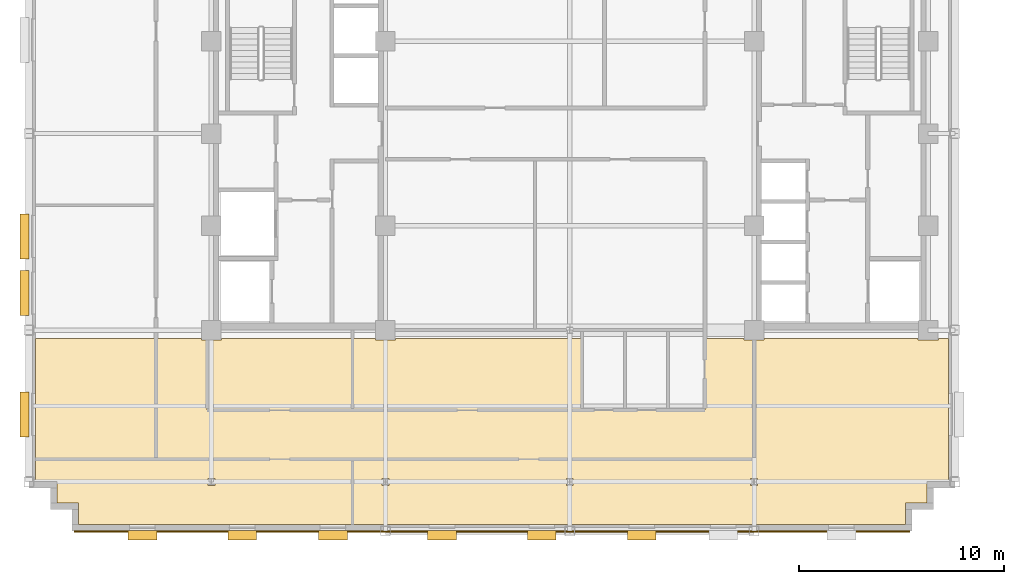
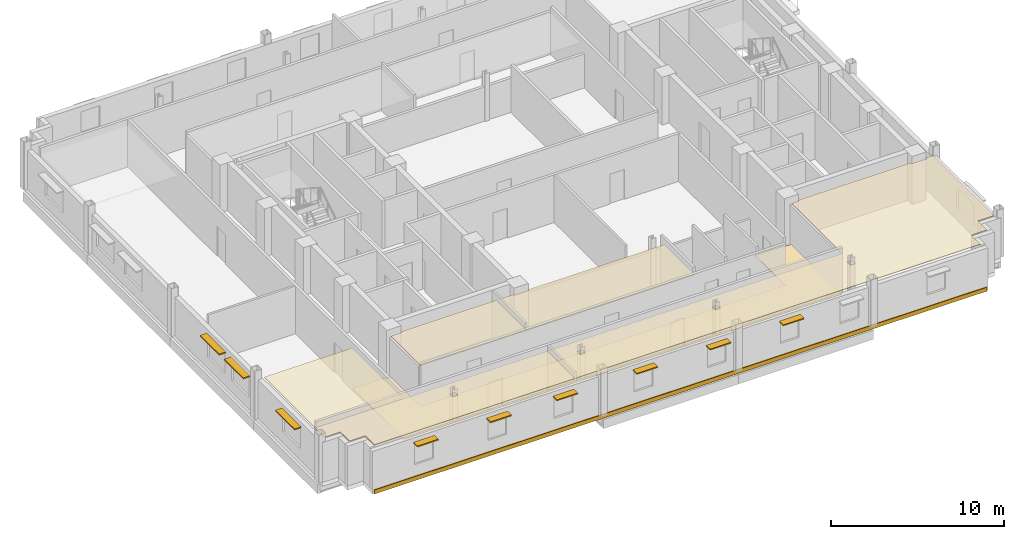
# One storey, part 10 of 13: 9 shading devices, 7 coverings.
"""IFC4 building model written with IfcOpenShell, lengths in metres."""

from ifc_helpers import new_model, si_unit, direction, frame, origin, origin_2d, place, context, subcontext, project, spatial, polyline, rectangle, outline, extrude, source, transform, mapped, material, layer, layer_set, type_object, type_shapes, element, save


model = new_model("IFC4")

# Units and contexts
model_context = context("Model", 3, precision=1e-05, world=origin(), true_north=direction((0.0, 1.0)))
body_context = subcontext(model_context, "Body", "Model", "MODEL_VIEW")
ifc_project = project(units=[si_unit("LENGTHUNIT", "METRE"), si_unit("AREAUNIT", "SQUARE_METRE"), si_unit("VOLUMEUNIT", "CUBIC_METRE"), si_unit("PLANEANGLEUNIT", "RADIAN"), si_unit("MASSUNIT", "GRAM", prefix="KILO")], contexts=[model_context])

# Site, building, storey
site_placement = place(None, origin())
site = spatial("IfcSite", under=ifc_project, at=site_placement, CompositionType="ELEMENT")
building_placement = place(site_placement, origin())
building = spatial("IfcBuilding", under=site, at=building_placement, Name="Nuvemarco Arch Tower", CompositionType="ELEMENT")
storey_placement = place(building_placement, frame((0.0, 0.0, 216.449951171875)))
storey = spatial("IfcBuildingStorey", under=building, at=storey_placement, Name="L57", CompositionType="ELEMENT", Elevation=216.449951171875)

# Coverings
ifc_material_1 = material(Name="Mineral acoustic ceiling tile")
ifc_layer_1 = layer(ifc_material_1, 0.0400390625, Name="COV-ACOUSTIC-CLG")
ifc_layer_set_1 = layer_set([ifc_layer_1], Name="Mineral acoustic ceiling tile")
covering_type_1 = type_object("IfcCoveringType", Name="COV-ACOUSTIC-CLG", PredefinedType="CEILING", material=ifc_layer_set_1)
covering_1_placement = place(storey_placement, frame((0.0, 0.0, 2.85009765625)))
element("IfcCovering", 1, at=covering_1_placement, inside=storey, type_object=covering_type_1, Name="L57 suspended acoustic ceiling 1", PredefinedType="CEILING", context=body_context, shape_type="SweptSolid", body=[
    extrude(outline(polyline([(-10.610107421875, -15.89990234375), (6.60009765625, -15.89990234375), (9.0, -15.89990234375), (9.0, -13.5), (9.0, -10.090087890625), (9.489990234375, -10.090087890625), (9.489990234375, -10.0), (17.010009765625, -10.0), (17.010009765625, -10.090087890625), (17.989990234375, -10.090087890625), (17.989990234375, -10.0), (18.489990234375, -10.0), (18.489990234375, -16.989990234375), (17.43994140625, -16.989990234375), (17.43994140625, -18.0400390625), (16.389892578125, -18.0400390625), (16.389892578125, -19.090087890625), (-10.610107421875, -19.090087890625), (-10.610107421875, -15.89990234375)]), holes=[polyline([(-8.830078125, -16.830078125), (-9.169921875, -16.830078125), (-9.169921875, -17.169921875), (-8.830078125, -17.169921875), (-8.830078125, -16.830078125)]), polyline([(0.169921875, -17.169921875), (0.169921875, -16.830078125), (-0.169921875, -16.830078125), (-0.169921875, -17.169921875), (0.169921875, -17.169921875)]), polyline([(9.169921875, -17.169921875), (9.169921875, -16.830078125), (8.830078125, -16.830078125), (8.830078125, -17.169921875), (9.169921875, -17.169921875)])]), origin(), (0.0, 0.0, 1.0), 0.0400390625),
])
covering_2_placement = place(storey_placement, frame((0.0, 0.0, 2.85009765625)))
element("IfcCovering", 2, at=covering_2_placement, inside=storey, type_object=covering_type_1, Name="L57 suspended acoustic ceiling 4", PredefinedType="CEILING", context=body_context, shape_type="SweptSolid", body=[
    extrude(outline(polyline([(-20.199951171875, -15.89990234375), (-26.090087890625, -15.89990234375), (-26.090087890625, -10.0), (-20.199951171875, -10.0), (-20.199951171875, -13.5), (-20.199951171875, -15.89990234375)])), origin(), (0.0, 0.0, 1.0), 0.0400390625),
])
covering_3_placement = place(storey_placement, frame((0.0, 0.0, 2.85009765625)))
element("IfcCovering", 3, at=covering_3_placement, inside=storey, type_object=covering_type_1, Name="L57 suspended acoustic ceiling 6", PredefinedType="CEILING", context=body_context, shape_type="SweptSolid", body=[
    extrude(outline(polyline([(-26.090087890625, -16.989990234375), (-26.090087890625, -15.89990234375), (-20.199951171875, -15.89990234375), (-17.699951171875, -15.89990234375), (-10.610107421875, -15.89990234375), (-10.610107421875, -19.090087890625), (-23.989990234375, -19.090087890625), (-23.989990234375, -18.0400390625), (-25.0400390625, -18.0400390625), (-25.0400390625, -16.989990234375), (-26.090087890625, -16.989990234375)]), holes=[polyline([(-17.330078125, -16.830078125), (-17.669921875, -16.830078125), (-17.669921875, -17.169921875), (-17.330078125, -17.169921875), (-17.330078125, -16.830078125)])]), origin(), (0.0, 0.0, 1.0), 0.0400390625),
])
covering_4_placement = place(storey_placement, frame((0.0, 0.0, 2.85009765625)))
element("IfcCovering", 4, at=covering_4_placement, inside=storey, type_object=covering_type_1, Name="L57 suspended acoustic ceiling 8", PredefinedType="CEILING", context=body_context, shape_type="SweptSolid", body=[
    extrude(outline(polyline([(0.60009765625, -13.5), (-10.610107421875, -13.5), (-10.610107421875, -10.0), (-9.489990234375, -10.0), (-9.489990234375, -10.090087890625), (-8.510009765625, -10.090087890625), (-8.510009765625, -10.0), (0.60009765625, -10.0), (0.60009765625, -13.5)])), origin(), (0.0, 0.0, 1.0), 0.0400390625),
])
covering_5_placement = place(storey_placement, frame((0.0, 0.0, 2.85009765625)))
element("IfcCovering", 5, at=covering_5_placement, inside=storey, type_object=covering_type_1, Name="L57 suspended acoustic ceiling 9", PredefinedType="CEILING", context=body_context, shape_type="SweptSolid", body=[
    extrude(outline(polyline([(-10.610107421875, -13.5), (-17.699951171875, -13.5), (-17.699951171875, -10.090087890625), (-17.010009765625, -10.090087890625), (-17.010009765625, -10.0), (-10.610107421875, -10.0), (-10.610107421875, -13.5)])), origin(), (0.0, 0.0, 1.0), 0.0400390625),
])
ifc_material_2 = material(Name="Polished granite terrazzostone flooring", Category="masonry")
ifc_layer_2 = layer(ifc_material_2, 0.02001953125, Name="COV-LOBBY-FLR")
ifc_layer_set_2 = layer_set([ifc_layer_2], Name="Polished granite terrazzostone flooring")
covering_type_2 = type_object("IfcCoveringType", Name="COV-LOBBY-FLR", PredefinedType="FLOORING", material=ifc_layer_set_2)
covering_6_placement = place(storey_placement, origin())
element("IfcCovering", 6, at=covering_6_placement, inside=storey, type_object=covering_type_2, Name="L57 polished terrazzo lobby flooring", PredefinedType="FLOORING", context=body_context, shape_type="SweptSolid", body=[
    extrude(outline(polyline([(-20.199951171875, -10.0), (-17.989990234375, -10.0), (-17.989990234375, -10.090087890625), (-17.699951171875, -10.090087890625), (-17.699951171875, -13.5), (6.60009765625, -13.5), (6.60009765625, -10.0), (8.510009765625, -10.0), (8.510009765625, -10.090087890625), (9.0, -10.090087890625), (9.0, -13.5), (9.0, -15.89990234375), (6.60009765625, -15.89990234375), (-17.699951171875, -15.89990234375), (-20.199951171875, -15.89990234375), (-20.199951171875, -13.5), (-20.199951171875, -10.0)])), origin(), (0.0, 0.0, 1.0), 0.02001953125),
])

# Shading devices
ifc_material_3 = material(Name="Anodised aluminium 6063-T6", Category="aluminium")
shading_device_type_1 = type_object("IfcShadingDeviceType", Name="SHD-BRISE-SOLEIL", PredefinedType="USERDEFINED", material=ifc_material_3)
shared_shape_1 = source(origin(), body_context, "Body", "SweptSolid", [
    extrude(rectangle(XDim=2.199951171875, YDim=0.449951171875, at=origin_2d()), origin(), (0.0, 0.0, 1.0), 0.080078125),
])
type_shapes(shading_device_type_1, [shared_shape_1])
for number, where, z_axis, x_axis, name in (
    (7, (-26.614990234375, -13.708984375, 2.324951171875), (0.0, 0.0, 1.0), (0.0, 1.0, 0.0), "L57 horizontal brise-soleil sunshade"),
    (8, (-26.614990234375, -7.789306640625, 2.324951171875), (0.0, 0.0, 1.0), (0.0, 1.0, 0.0), "L57 horizontal brise-soleil sunshade"),
    (9, (-26.614990234375, -5.019775390625, 2.324951171875), (0.0, 0.0, 1.0), (0.0, 1.0, 0.0), "L57 horizontal brise-soleil sunshade"),
):
    element("IfcShadingDevice", number, at=place(storey_placement, frame(where, z_axis=z_axis, x_axis=x_axis)), inside=storey, type_object=shading_device_type_1, Name=name, ObjectType="SUNSHADE", PredefinedType="USERDEFINED", context=body_context, shape_type="MappedRepresentation", body=[
        mapped(shared_shape_1, transform((0.0, 0.0, 0.0), scale=1.0)),
    ])
shading_device_type_2 = type_object("IfcShadingDeviceType", Name="SHD-BRISE-NARROW", PredefinedType="USERDEFINED", material=ifc_material_3)
shared_shape_2 = source(origin(), body_context, "Body", "SweptSolid", [
    extrude(rectangle(XDim=1.39990234375, YDim=0.449951171875, at=origin_2d()), origin(), (0.0, 0.0, 1.0), 0.080078125),
])
type_shapes(shading_device_type_2, [shared_shape_2])
for number, where, z_axis, x_axis, name in (
    (10, (-20.862548828125, -19.614990234375, 2.324951171875), (0.0, 0.0, 1.0), (1.0, 0.0, 0.0), "L57 horizontal brise-soleil sunshade"),
    (11, (-15.987548828125, -19.614990234375, 2.324951171875), (0.0, 0.0, 1.0), (1.0, 0.0, 0.0), "L57 horizontal brise-soleil sunshade"),
    (12, (-11.5625, -19.614990234375, 2.324951171875), (0.0, 0.0, 1.0), (1.0, 0.0, 0.0), "L57 horizontal brise-soleil sunshade"),
    (13, (-6.237548828125, -19.614990234375, 2.324951171875), (0.0, 0.0, 1.0), (1.0, 0.0, 0.0), "L57 horizontal brise-soleil sunshade"),
    (14, (-1.362548828125, -19.614990234375, 2.324951171875), (0.0, 0.0, 1.0), (1.0, 0.0, 0.0), "L57 horizontal brise-soleil sunshade"),
    (15, (3.512451171875, -19.614990234375, 2.324951171875), (0.0, 0.0, 1.0), (1.0, 0.0, 0.0), "L57 horizontal brise-soleil sunshade"),
):
    element("IfcShadingDevice", number, at=place(storey_placement, frame(where, z_axis=z_axis, x_axis=x_axis)), inside=storey, type_object=shading_device_type_2, Name=name, ObjectType="SUNSHADE", PredefinedType="USERDEFINED", context=body_context, shape_type="MappedRepresentation", body=[
        mapped(shared_shape_2, transform((0.0, 0.0, 0.0), scale=1.0)),
    ])

# Covering
ifc_material_4 = material(Name="Precast concrete C45/55", Category="concrete")
ifc_layer_3 = layer(ifc_material_4, 0.06005859375, Name="COV-SPANDREL-CLAD")
ifc_layer_set_3 = layer_set([ifc_layer_3], Name="Precast concrete C45/55")
covering_type_3 = type_object("IfcCoveringType", Name="COV-SPANDREL-CLAD", PredefinedType="CLADDING", material=ifc_layer_set_3)
shared_shape_3 = source(origin(), body_context, "Body", "SweptSolid", [
    extrude(rectangle(XDim=40.800048828125, YDim=0.06005859375, at=origin_2d()), origin(), (0.0, 0.0, 1.0), 0.280029296875),
])
type_shapes(covering_type_3, [shared_shape_3])
covering_7_placement = place(storey_placement, frame((-3.800048828125, -19.428955078125, -0.27978515625), z_axis=(0.0, 0.0, 1.0), x_axis=(1.0, 0.0, 0.0)))
element("IfcCovering", 16, at=covering_7_placement, inside=storey, type_object=covering_type_3, Name="L57 precast spandrel edge cladding south", PredefinedType="CLADDING", context=body_context, shape_type="MappedRepresentation", body=[
    mapped(shared_shape_3, transform((0.0, 0.0, 0.0), scale=1.0)),
])

save(model, "model.ifc")
